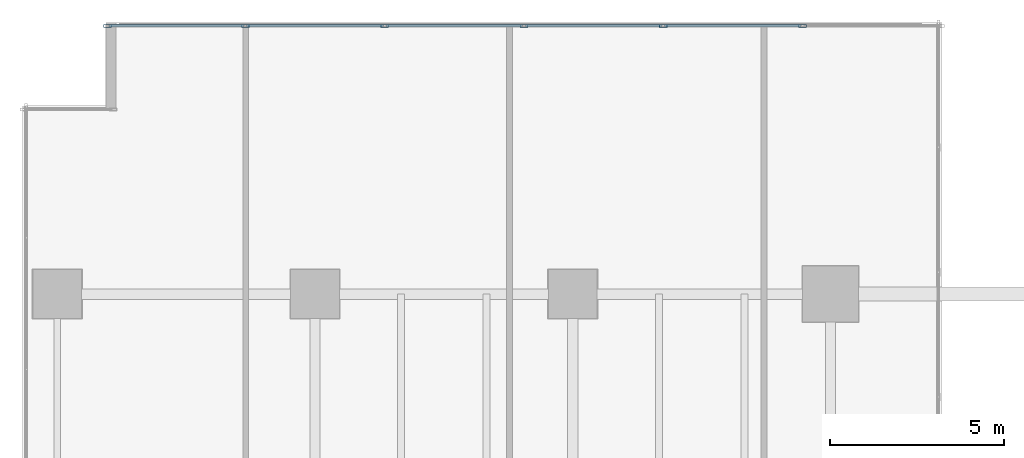
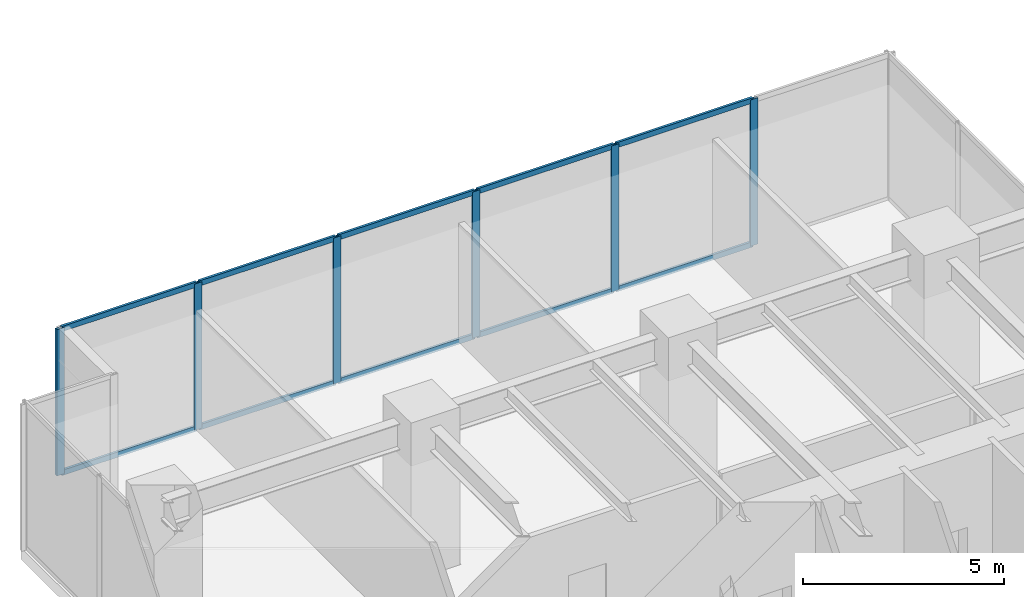
# One storey, part 18 of 39: 16 members, 1 element without a shape of its own.
"""IFC4 building model written with IfcOpenShell, lengths in metres."""

from ifc_helpers import new_model, si_unit, direction, frame, origin, origin_2d, place, context, subcontext, project, spatial, hollow_rectangle, extrude, source, transform, mapped, material, layer, layer_set, material_profile, profile_set, type_object, type_shapes, element, aggregate, save


model = new_model("IFC4")

# Units and contexts
model_context = context("Model", 3, precision=1e-05, world=origin(), true_north=direction((0.0, 1.0)))
body_context = subcontext(model_context, "Body", "Model", "MODEL_VIEW")
ifc_project = project(units=[si_unit("LENGTHUNIT", "METRE"), si_unit("AREAUNIT", "SQUARE_METRE"), si_unit("VOLUMEUNIT", "CUBIC_METRE"), si_unit("PLANEANGLEUNIT", "RADIAN"), si_unit("MASSUNIT", "GRAM", prefix="KILO")], contexts=[model_context])

# Site, building, storey
site_placement = place(None, origin())
site = spatial("IfcSite", under=ifc_project, at=site_placement, CompositionType="ELEMENT")
building_placement = place(site_placement, origin())
building = spatial("IfcBuilding", under=site, at=building_placement, Name="Haelvirn Gate Laboratories", CompositionType="ELEMENT")
storey_placement = place(building_placement, frame((0.0, 0.0, 15.0)))
storey = spatial("IfcBuildingStorey", under=building, at=storey_placement, Name="L04", CompositionType="ELEMENT", Elevation=15.0)

# Curtain wall, members
ifc_material_1 = material(Name="Anodised bronze unitised aluminium & triple low-E glass", Category="aluminium")
ifc_layer = layer(ifc_material_1, 0.18798828125, Name="CW-SYS-1")
ifc_layer_set = layer_set([ifc_layer], Name="Anodised bronze unitised aluminium & triple low-E glass")
curtain_wall_type = type_object("IfcCurtainWallType", Name="CW-SYS-1", PredefinedType="NOTDEFINED", material=ifc_layer_set)
curtain_wall_placement = place(storey_placement, origin())
curtain_wall = element("IfcCurtainWall", 1, at=curtain_wall_placement, inside=storey, type_object=curtain_wall_type, Name="L04 Unitised Curtain Wall CW-L04-P0-E02-1", PredefinedType="NOTDEFINED")
ifc_material_2 = material(Name="Extruded aluminium 6063-T6 (anodised bronze)", Category="aluminium")
ifc_material_profile_1 = material_profile(ifc_material_2, hollow_rectangle(XDim=0.070068359375, YDim=0.159912109375, WallThickness=0.0048828125, at=origin_2d()), Name="CWT-160x70x5")
ifc_profile_set_1 = profile_set([ifc_material_profile_1], Name="Extruded aluminium 6063-T6 (anodised bronze)")
member_type_1 = type_object("IfcMemberType", Name="CWT-T160", PredefinedType="USERDEFINED", material=ifc_profile_set_1)
shared_shape_1 = source(origin(), body_context, "Body", "SweptSolid", [
    extrude(hollow_rectangle(XDim=0.070068359375, YDim=0.159912109375, WallThickness=0.0048828125, at=origin_2d()), origin(), (0.0, 0.0, 1.0), 3.880126953125),
])
member_1_placement = place(storey_placement, frame((1.47998046875, 49.300048828125, 0.034912109375), z_axis=(1.0, 0.0, 0.0), x_axis=(0.0, 1.0, 0.0)))
member_1 = element("IfcMember", 2, at=member_1_placement, type_object=member_type_1, Name="CW1 transom 1.1", ObjectType="TRANSOM", PredefinedType="USERDEFINED", context=body_context, shape_type="MappedRepresentation", body=[
    mapped(shared_shape_1, transform((0.0, 0.0, 0.0), scale=1.0)),
])
member_2_placement = place(storey_placement, frame((1.47998046875, 49.300048828125, 4.4150390625), z_axis=(1.0, 0.0, 0.0), x_axis=(0.0, 1.0, 0.0)))
member_2 = element("IfcMember", 3, at=member_2_placement, type_object=member_type_1, Name="CW1 transom 1.2", ObjectType="TRANSOM", PredefinedType="USERDEFINED", context=body_context, shape_type="MappedRepresentation", body=[
    mapped(shared_shape_1, transform((0.0, 0.0, 0.0), scale=1.0)),
])
shared_shape_2 = source(origin(), body_context, "Body", "SweptSolid", [
    extrude(hollow_rectangle(XDim=0.070068359375, YDim=0.159912109375, WallThickness=0.0048828125, at=origin_2d()), origin(), (0.0, 0.0, 1.0), 3.920166015625),
])
type_shapes(member_type_1, [shared_shape_1, shared_shape_2])
member_3_placement = place(storey_placement, frame((5.43994140625, 49.300048828125, 0.034912109375), z_axis=(1.0, 0.0, 0.0), x_axis=(0.0, 1.0, 0.0)))
member_3 = element("IfcMember", 4, at=member_3_placement, type_object=member_type_1, Name="CW1 transom 2.1", ObjectType="TRANSOM", PredefinedType="USERDEFINED", context=body_context, shape_type="MappedRepresentation", body=[
    mapped(shared_shape_2, transform((0.0, 0.0, 0.0), scale=1.0)),
])
member_4_placement = place(storey_placement, frame((5.43994140625, 49.300048828125, 4.4150390625), z_axis=(1.0, 0.0, 0.0), x_axis=(0.0, 1.0, 0.0)))
member_4 = element("IfcMember", 5, at=member_4_placement, type_object=member_type_1, Name="CW1 transom 2.2", ObjectType="TRANSOM", PredefinedType="USERDEFINED", context=body_context, shape_type="MappedRepresentation", body=[
    mapped(shared_shape_2, transform((0.0, 0.0, 0.0), scale=1.0)),
])
member_5_placement = place(storey_placement, frame((9.43994140625, 49.300048828125, 0.034912109375), z_axis=(1.0, 0.0, 0.0), x_axis=(0.0, 1.0, 0.0)))
member_5 = element("IfcMember", 6, at=member_5_placement, type_object=member_type_1, Name="CW1 transom 3.1", ObjectType="TRANSOM", PredefinedType="USERDEFINED", context=body_context, shape_type="MappedRepresentation", body=[
    mapped(shared_shape_2, transform((0.0, 0.0, 0.0), scale=1.0)),
])
member_6_placement = place(storey_placement, frame((9.43994140625, 49.300048828125, 4.4150390625), z_axis=(1.0, 0.0, 0.0), x_axis=(0.0, 1.0, 0.0)))
member_6 = element("IfcMember", 7, at=member_6_placement, type_object=member_type_1, Name="CW1 transom 3.2", ObjectType="TRANSOM", PredefinedType="USERDEFINED", context=body_context, shape_type="MappedRepresentation", body=[
    mapped(shared_shape_2, transform((0.0, 0.0, 0.0), scale=1.0)),
])
member_7_placement = place(storey_placement, frame((13.43994140625, 49.300048828125, 0.034912109375), z_axis=(1.0, 0.0, 0.0), x_axis=(0.0, 1.0, 0.0)))
member_7 = element("IfcMember", 8, at=member_7_placement, type_object=member_type_1, Name="CW1 transom 4.1", ObjectType="TRANSOM", PredefinedType="USERDEFINED", context=body_context, shape_type="MappedRepresentation", body=[
    mapped(shared_shape_2, transform((0.0, 0.0, 0.0), scale=1.0)),
])
member_8_placement = place(storey_placement, frame((13.43994140625, 49.300048828125, 4.4150390625), z_axis=(1.0, 0.0, 0.0), x_axis=(0.0, 1.0, 0.0)))
member_8 = element("IfcMember", 9, at=member_8_placement, type_object=member_type_1, Name="CW1 transom 4.2", ObjectType="TRANSOM", PredefinedType="USERDEFINED", context=body_context, shape_type="MappedRepresentation", body=[
    mapped(shared_shape_2, transform((0.0, 0.0, 0.0), scale=1.0)),
])
member_9_placement = place(storey_placement, frame((17.43994140625, 49.300048828125, 0.034912109375), z_axis=(1.0, 0.0, 0.0), x_axis=(0.0, 1.0, 0.0)))
member_9 = element("IfcMember", 10, at=member_9_placement, type_object=member_type_1, Name="CW1 transom 5.1", ObjectType="TRANSOM", PredefinedType="USERDEFINED", context=body_context, shape_type="MappedRepresentation", body=[
    mapped(shared_shape_2, transform((0.0, 0.0, 0.0), scale=1.0)),
])
member_10_placement = place(storey_placement, frame((17.43994140625, 49.300048828125, 4.4150390625), z_axis=(1.0, 0.0, 0.0), x_axis=(0.0, 1.0, 0.0)))
member_10 = element("IfcMember", 11, at=member_10_placement, type_object=member_type_1, Name="CW1 transom 5.2", ObjectType="TRANSOM", PredefinedType="USERDEFINED", context=body_context, shape_type="MappedRepresentation", body=[
    mapped(shared_shape_2, transform((0.0, 0.0, 0.0), scale=1.0)),
])
ifc_material_profile_2 = material_profile(ifc_material_2, hollow_rectangle(XDim=0.080078125, YDim=0.219970703125, WallThickness=0.006103515625, at=origin_2d()), Name="CWM-220x80x6")
ifc_profile_set_2 = profile_set([ifc_material_profile_2], Name="Extruded aluminium 6063-T6 (anodised bronze)")
member_type_2 = type_object("IfcMemberType", Name="CWM-T220", PredefinedType="MULLION", material=ifc_profile_set_2)
shared_shape_3 = source(origin(), body_context, "Body", "SweptSolid", [
    extrude(hollow_rectangle(XDim=0.080078125, YDim=0.219970703125, WallThickness=0.006103515625, at=origin_2d()), origin(), (0.0, 0.0, 1.0), 4.449951171875),
])
type_shapes(member_type_2, [shared_shape_3])
member_11_placement = place(storey_placement, frame((1.43994140625, 49.300048828125, 0.0), z_axis=(0.0, 0.0, 1.0), x_axis=(0.0, 1.0, 0.0)))
member_11 = element("IfcMember", 12, at=member_11_placement, type_object=member_type_2, Name="CW1 mullion 1", PredefinedType="MULLION", context=body_context, shape_type="MappedRepresentation", body=[
    mapped(shared_shape_3, transform((0.0, 0.0, 0.0), scale=1.0)),
])
member_12_placement = place(storey_placement, frame((5.39990234375, 49.300048828125, 0.0), z_axis=(0.0, 0.0, 1.0), x_axis=(0.0, 1.0, 0.0)))
member_12 = element("IfcMember", 13, at=member_12_placement, type_object=member_type_2, Name="CW1 mullion 2", PredefinedType="MULLION", context=body_context, shape_type="MappedRepresentation", body=[
    mapped(shared_shape_3, transform((0.0, 0.0, 0.0), scale=1.0)),
])
member_13_placement = place(storey_placement, frame((9.39990234375, 49.300048828125, 0.0), z_axis=(0.0, 0.0, 1.0), x_axis=(0.0, 1.0, 0.0)))
member_13 = element("IfcMember", 14, at=member_13_placement, type_object=member_type_2, Name="CW1 mullion 3", PredefinedType="MULLION", context=body_context, shape_type="MappedRepresentation", body=[
    mapped(shared_shape_3, transform((0.0, 0.0, 0.0), scale=1.0)),
])
member_14_placement = place(storey_placement, frame((13.39990234375, 49.300048828125, 0.0), z_axis=(0.0, 0.0, 1.0), x_axis=(0.0, 1.0, 0.0)))
member_14 = element("IfcMember", 15, at=member_14_placement, type_object=member_type_2, Name="CW1 mullion 4", PredefinedType="MULLION", context=body_context, shape_type="MappedRepresentation", body=[
    mapped(shared_shape_3, transform((0.0, 0.0, 0.0), scale=1.0)),
])
member_15_placement = place(storey_placement, frame((17.39990234375, 49.300048828125, 0.0), z_axis=(0.0, 0.0, 1.0), x_axis=(0.0, 1.0, 0.0)))
member_15 = element("IfcMember", 16, at=member_15_placement, type_object=member_type_2, Name="CW1 mullion 5", PredefinedType="MULLION", context=body_context, shape_type="MappedRepresentation", body=[
    mapped(shared_shape_3, transform((0.0, 0.0, 0.0), scale=1.0)),
])
member_16_placement = place(storey_placement, frame((21.39990234375, 49.300048828125, 0.0), z_axis=(0.0, 0.0, 1.0), x_axis=(0.0, 1.0, 0.0)))
member_16 = element("IfcMember", 17, at=member_16_placement, type_object=member_type_2, Name="CW1 mullion 6", PredefinedType="MULLION", context=body_context, shape_type="MappedRepresentation", body=[
    mapped(shared_shape_3, transform((0.0, 0.0, 0.0), scale=1.0)),
])
aggregate(curtain_wall, [member_11, member_12, member_13, member_14, member_15, member_16, member_1, member_2, member_3, member_4, member_5, member_6, member_7, member_8, member_9, member_10])

save(model, "model.ifc")
